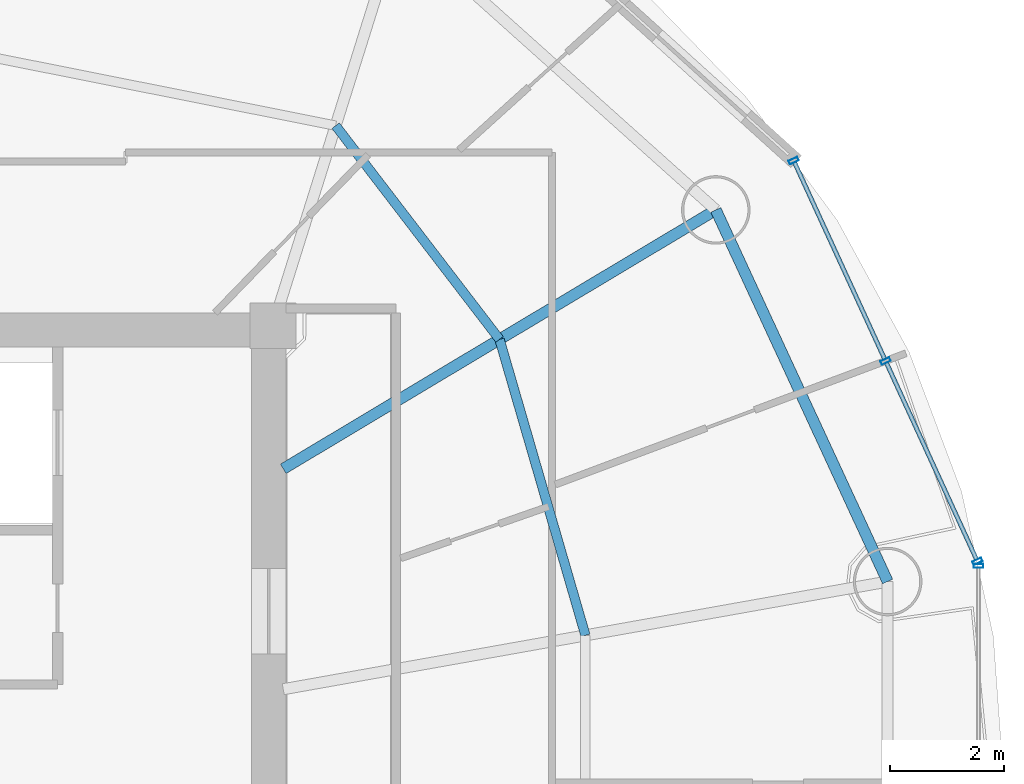
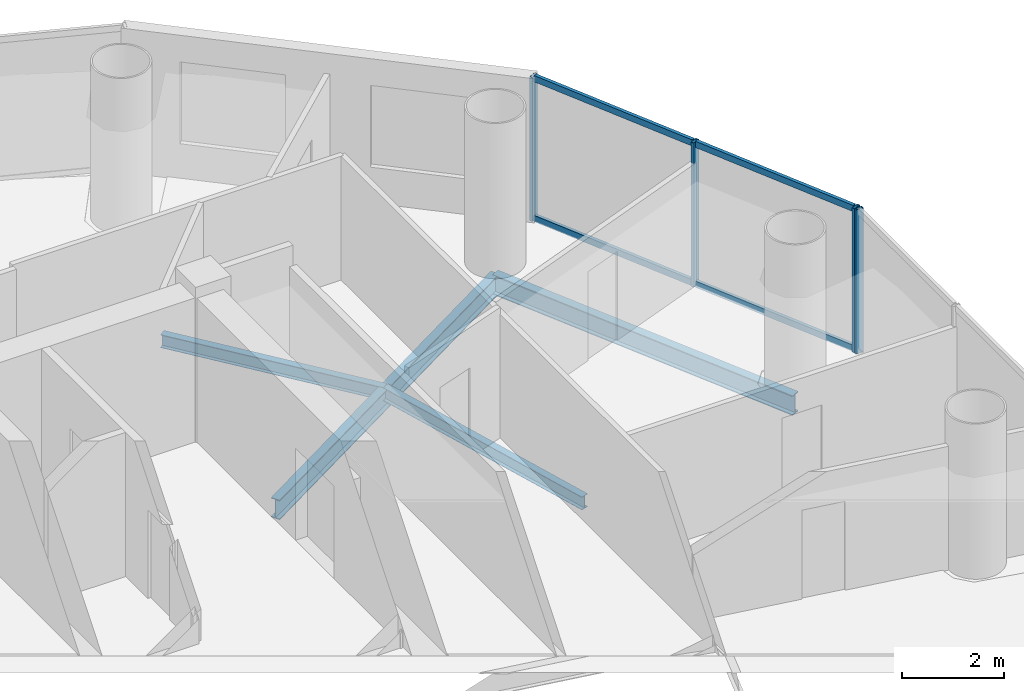
# One storey, part 14 of 26: 8 members, 4 beams, 2 elements without a shape of their own.
"""IFC4 building model written with IfcOpenShell, lengths in metres."""

from ifc_helpers import new_model, si_unit, direction, frame, origin, origin_2d, place, context, subcontext, project, spatial, hollow_rectangle, i_section, extrude, source, transform, mapped, material, material_profile, profile_set, type_object, element, aggregate, save


model = new_model("IFC4")

# Units and contexts
model_context = context("Model", 3, precision=1e-05, world=origin(), true_north=direction((-0.2419218956, 0.970295726276)))
body_context = subcontext(model_context, "Body", "Model", "MODEL_VIEW")
ifc_project = project(units=[si_unit("LENGTHUNIT", "METRE"), si_unit("AREAUNIT", "SQUARE_METRE"), si_unit("VOLUMEUNIT", "CUBIC_METRE"), si_unit("PLANEANGLEUNIT", "RADIAN"), si_unit("MASSUNIT", "GRAM", prefix="KILO")], contexts=[model_context])

# Site, building, storey
site_placement = place(None, origin())
site = spatial("IfcSite", under=ifc_project, at=site_placement, CompositionType="ELEMENT")
building_placement = place(site_placement, origin())
building = spatial("IfcBuilding", under=site, at=building_placement, Name="Cobrevalo Terracotta Tower", CompositionType="ELEMENT")
storey_placement = place(building_placement, frame((0.0, 0.0, 228.199951171875)))
storey = spatial("IfcBuildingStorey", under=building, at=storey_placement, Name="L60", CompositionType="ELEMENT", Elevation=228.199951171875)

# Beams
ifc_material_1 = material(Name="Steel S355", Category="steel")
ifc_material_profile_1 = material_profile(ifc_material_1, i_section(OverallWidth=0.194091796875, OverallDepth=0.468994140625, WebThickness=0.011474609375, FlangeThickness=0.0205078125, at=origin_2d()), Name="W 460x106")
ifc_profile_set_1 = profile_set([ifc_material_profile_1], Name="Steel S355")
beam_type_1 = type_object("IfcBeamType", Name="Structural Beam W 460x106 (Steel S355)", PredefinedType="BEAM", material=ifc_profile_set_1)
beam_1_placement = place(storey_placement, frame((54.754150390625, 36.828125, -0.49951171875), z_axis=(-0.858046392192, -0.513572184651, 0.0), x_axis=(0.513572184651, -0.858046392192, 0.0)))
element("IfcBeam", 1, at=beam_1_placement, inside=storey, type_object=beam_type_1, Name="L60 radial floor girder 02", PredefinedType="BEAM", context=body_context, shape_type="SweptSolid", body=[
    extrude(i_section(OverallWidth=0.194091796875, OverallDepth=0.468994140625, WebThickness=0.011474609375, FlangeThickness=0.0205078125, at=origin_2d()), origin(), (0.0, 0.0, 1.0), 8.827392578125),
])
ifc_material_profile_2 = material_profile(ifc_material_1, i_section(OverallWidth=0.1650390625, OverallDepth=0.31005859375, WebThickness=0.005859375, FlangeThickness=0.009765625, at=origin_2d()), Name="W 310x38.7")
ifc_profile_set_2 = profile_set([ifc_material_profile_2], Name="Steel S355")
beam_type_2 = type_object("IfcBeamType", Name="Structural Joist W 310x38.7 (Steel S355)", PredefinedType="JOIST", material=ifc_profile_set_2)
beam_2_placement = place(storey_placement, frame((52.471435546875, 29.378662109375, -0.419921875), z_axis=(-0.278769817131, 0.960357948401, 0.0), x_axis=(-0.960357948401, -0.278769817131, 0.0)))
element("IfcBeam", 2, at=beam_2_placement, inside=storey, type_object=beam_type_2, Name="L60 circumferential secondary floor joist 01", PredefinedType="JOIST", context=body_context, shape_type="SweptSolid", body=[
    extrude(i_section(OverallWidth=0.1650390625, OverallDepth=0.31005859375, WebThickness=0.005859375, FlangeThickness=0.009765625, at=origin_2d()), origin(), (0.0, 0.0, 1.0), 5.396484375),
])
beam_3_placement = place(storey_placement, frame((50.967041015625, 34.561279296875, -0.419921875), z_axis=(-0.608464146296, 0.793581364872, 0.0), x_axis=(-0.793581364872, -0.608464146296, 0.0)))
element("IfcBeam", 3, at=beam_3_placement, inside=storey, type_object=beam_type_2, Name="L60 circumferential secondary floor joist 02", PredefinedType="JOIST", context=body_context, shape_type="SweptSolid", body=[
    extrude(i_section(OverallWidth=0.1650390625, OverallDepth=0.31005859375, WebThickness=0.005859375, FlangeThickness=0.009765625, at=origin_2d()), origin(), (0.0, 0.0, 1.0), 4.716064453125),
])
ifc_material_profile_3 = material_profile(ifc_material_1, i_section(OverallWidth=0.194091796875, OverallDepth=0.468994140625, WebThickness=0.011474609375, FlangeThickness=0.0205078125, at=origin_2d()), Name="W 460x106")
ifc_profile_set_3 = profile_set([ifc_material_profile_3], Name="Steel S355")
beam_type_3 = type_object("IfcBeamType", Name="Structural Spandrel W 460x106 (Steel S355)", PredefinedType="SPANDREL", material=ifc_profile_set_3)
beam_4_placement = place(storey_placement, frame((57.762939453125, 30.3212890625, -0.49951171875), z_axis=(-0.419705965131, 0.907660125176, 0.0), x_axis=(-0.907660125176, -0.419705965131, 0.0)))
element("IfcBeam", 4, at=beam_4_placement, inside=storey, type_object=beam_type_3, Name="L60 perimeter ring spandrel 01", PredefinedType="SPANDREL", context=body_context, shape_type="SweptSolid", body=[
    extrude(i_section(OverallWidth=0.194091796875, OverallDepth=0.468994140625, WebThickness=0.011474609375, FlangeThickness=0.0205078125, at=origin_2d()), origin(), (0.0, 0.0, 1.0), 7.168701171875),
])

# Curtain wall, members
ifc_material_2 = material(Name="Anodized aluminium", Category="aluminium")
curtain_wall_type = type_object("IfcCurtainWallType", Name="Mid-tower high-wind unitised curtain wall CW-U2", PredefinedType="NOTDEFINED", material=ifc_material_2)
curtain_wall_1_placement = place(storey_placement, origin())
curtain_wall_1 = element("IfcCurtainWall", 5, at=curtain_wall_1_placement, inside=storey, type_object=curtain_wall_type, Name="L60 curtain wall CW-L60-S01", PredefinedType="NOTDEFINED")
ifc_material_profile_4 = material_profile(ifc_material_2, hollow_rectangle(XDim=0.074951171875, YDim=0.14990234375, WallThickness=0.00439453125, at=origin_2d()), Name="CWT 75x150")
ifc_profile_set_4 = profile_set([ifc_material_profile_4], Name="Anodized aluminium")
member_type_1 = type_object("IfcMemberType", Name="Tower unitised aluminium transom 75x150", PredefinedType="USERDEFINED", material=ifc_profile_set_4)
shared_shape_1 = source(origin(), body_context, "Body", "SweptSolid", [
    extrude(hollow_rectangle(XDim=0.074951171875, YDim=0.14990234375, WallThickness=0.00439453125, at=origin_2d()), origin(), (0.0, 0.0, 1.0), 3.780029296875),
])
member_1_placement = place(storey_placement, frame((59.318359375, 30.710205078125, 0.050048828125), z_axis=(-0.416705859352, 0.909041377926, 0.0), x_axis=(-0.909041377926, -0.416705859352, 0.0)))
member_1 = element("IfcMember", 6, at=member_1_placement, type_object=member_type_1, Name="CW-L60-S01 transom B01-T1", ObjectType="TRANSOM", PredefinedType="USERDEFINED", context=body_context, shape_type="MappedRepresentation", body=[
    mapped(shared_shape_1, transform((0.0, 0.0, 0.0), scale=1.0)),
])
member_2_placement = place(storey_placement, frame((59.318359375, 30.710205078125, 3.385009765625), z_axis=(-0.416705859352, 0.909041377926, 0.0), x_axis=(-0.909041377926, -0.416705859352, 0.0)))
member_2 = element("IfcMember", 7, at=member_2_placement, type_object=member_type_1, Name="CW-L60-S01 transom B01-T2", ObjectType="TRANSOM", PredefinedType="USERDEFINED", context=body_context, shape_type="MappedRepresentation", body=[
    mapped(shared_shape_1, transform((0.0, 0.0, 0.0), scale=1.0)),
])
member_3_placement = place(storey_placement, frame((57.709716796875, 34.218994140625, 0.050048828125), z_axis=(-0.416705859352, 0.909041377926, 0.0), x_axis=(-0.909041377926, -0.416705859352, 0.0)))
member_3 = element("IfcMember", 8, at=member_3_placement, type_object=member_type_1, Name="CW-L60-S01 transom B02-T1", ObjectType="TRANSOM", PredefinedType="USERDEFINED", context=body_context, shape_type="MappedRepresentation", body=[
    mapped(shared_shape_1, transform((0.0, 0.0, 0.0), scale=1.0)),
])
member_4_placement = place(storey_placement, frame((57.709716796875, 34.218994140625, 3.385009765625), z_axis=(-0.416705859352, 0.909041377926, 0.0), x_axis=(-0.909041377926, -0.416705859352, 0.0)))
member_4 = element("IfcMember", 9, at=member_4_placement, type_object=member_type_1, Name="CW-L60-S01 transom B02-T2", ObjectType="TRANSOM", PredefinedType="USERDEFINED", context=body_context, shape_type="MappedRepresentation", body=[
    mapped(shared_shape_1, transform((0.0, 0.0, 0.0), scale=1.0)),
])
ifc_material_profile_5 = material_profile(ifc_material_2, hollow_rectangle(XDim=0.070068359375, YDim=0.169921875, WallThickness=0.00439453125, at=origin_2d()), Name="CWM 70x170")
ifc_profile_set_5 = profile_set([ifc_material_profile_5], Name="Anodized aluminium")
member_type_2 = type_object("IfcMemberType", Name="Upper tower unitised mullion 70x170", PredefinedType="MULLION", material=ifc_profile_set_5)
shared_shape_2 = source(origin(), body_context, "Body", "SweptSolid", [
    extrude(hollow_rectangle(XDim=0.070068359375, YDim=0.169921875, WallThickness=0.00439453125, at=origin_2d()), origin(), (0.0, 0.0, 1.0), 3.43505859375),
])
member_5_placement = place(storey_placement, frame((59.3349609375, 30.673828125, 0.0), z_axis=(0.0, 0.0, 1.0), x_axis=(-0.41672507912, 0.909032567311, 0.0)))
member_5 = element("IfcMember", 10, at=member_5_placement, type_object=member_type_2, Name="CW-L60-S01 vertical mullion 01", PredefinedType="MULLION", context=body_context, shape_type="MappedRepresentation", body=[
    mapped(shared_shape_2, transform((0.0, 0.0, 0.0), scale=1.0)),
])
member_6_placement = place(storey_placement, frame((57.726318359375, 34.182861328125, 0.0), z_axis=(0.0, 0.0, 1.0), x_axis=(-0.41672507912, 0.909032567311, 0.0)))
member_6 = element("IfcMember", 11, at=member_6_placement, type_object=member_type_2, Name="CW-L60-S01 vertical mullion 02", PredefinedType="MULLION", context=body_context, shape_type="MappedRepresentation", body=[
    mapped(shared_shape_2, transform((0.0, 0.0, 0.0), scale=1.0)),
])
member_7_placement = place(storey_placement, frame((56.11767578125, 37.691650390625, 0.0), z_axis=(0.0, 0.0, 1.0), x_axis=(-0.41672507912, 0.909032567311, 0.0)))
member_7 = element("IfcMember", 12, at=member_7_placement, type_object=member_type_2, Name="CW-L60-S01 vertical mullion 03", PredefinedType="MULLION", context=body_context, shape_type="MappedRepresentation", body=[
    mapped(shared_shape_2, transform((0.0, 0.0, 0.0), scale=1.0)),
])
aggregate(curtain_wall_1, [member_5, member_6, member_7, member_1, member_2, member_3, member_4])

# Curtain wall, member
curtain_wall_2_placement = place(storey_placement, origin())
curtain_wall_2 = element("IfcCurtainWall", 13, at=curtain_wall_2_placement, inside=storey, type_object=curtain_wall_type, Name="L60 curtain wall CW-L60-S16", PredefinedType="NOTDEFINED")
member_8_placement = place(storey_placement, frame((59.351806640625, 30.597412109375, 0.0), z_axis=(0.0, 0.0, 1.0), x_axis=(0.0, 1.0, 0.0)))
member_8 = element("IfcMember", 14, at=member_8_placement, type_object=member_type_2, Name="CW-L60-S16 vertical mullion 03", PredefinedType="MULLION", context=body_context, shape_type="MappedRepresentation", body=[
    mapped(shared_shape_2, transform((0.0, 0.0, 0.0), scale=1.0)),
])
aggregate(curtain_wall_2, [member_8])

save(model, "model.ifc")
